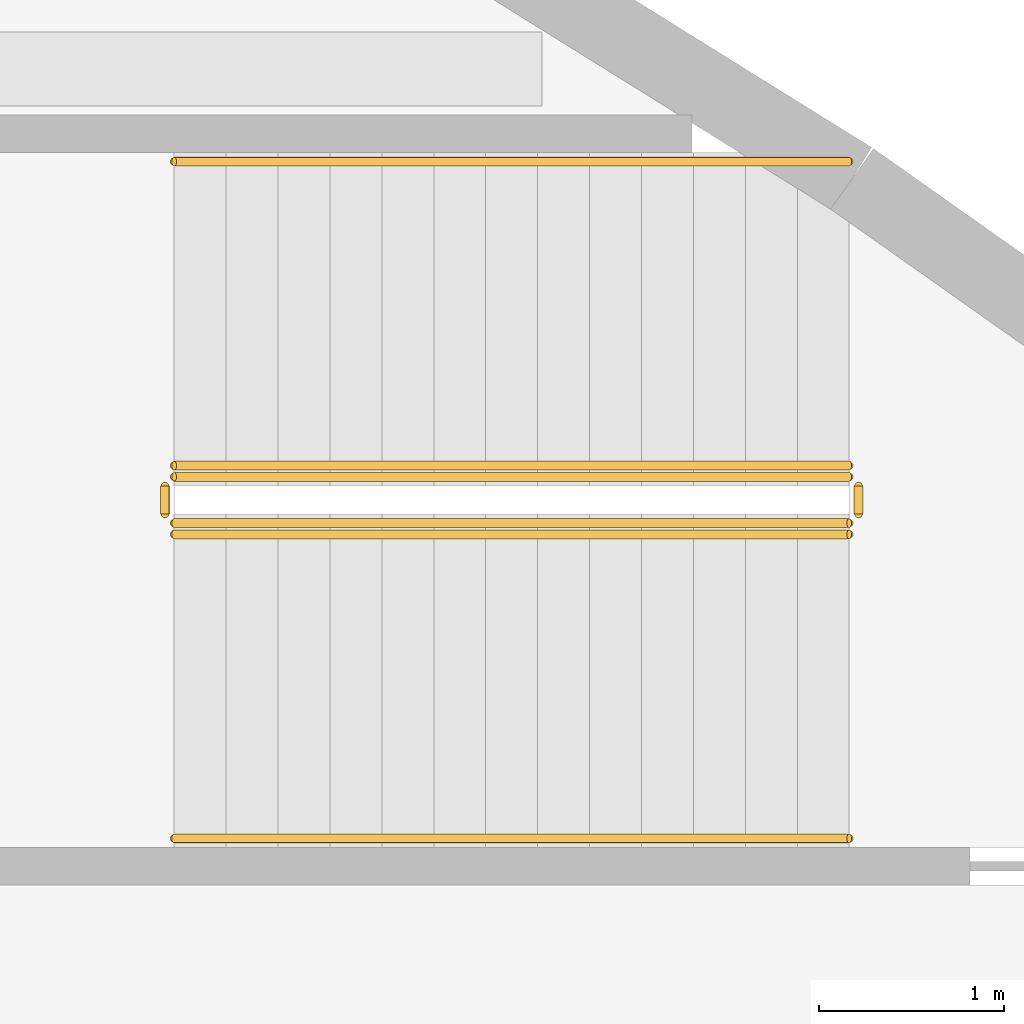
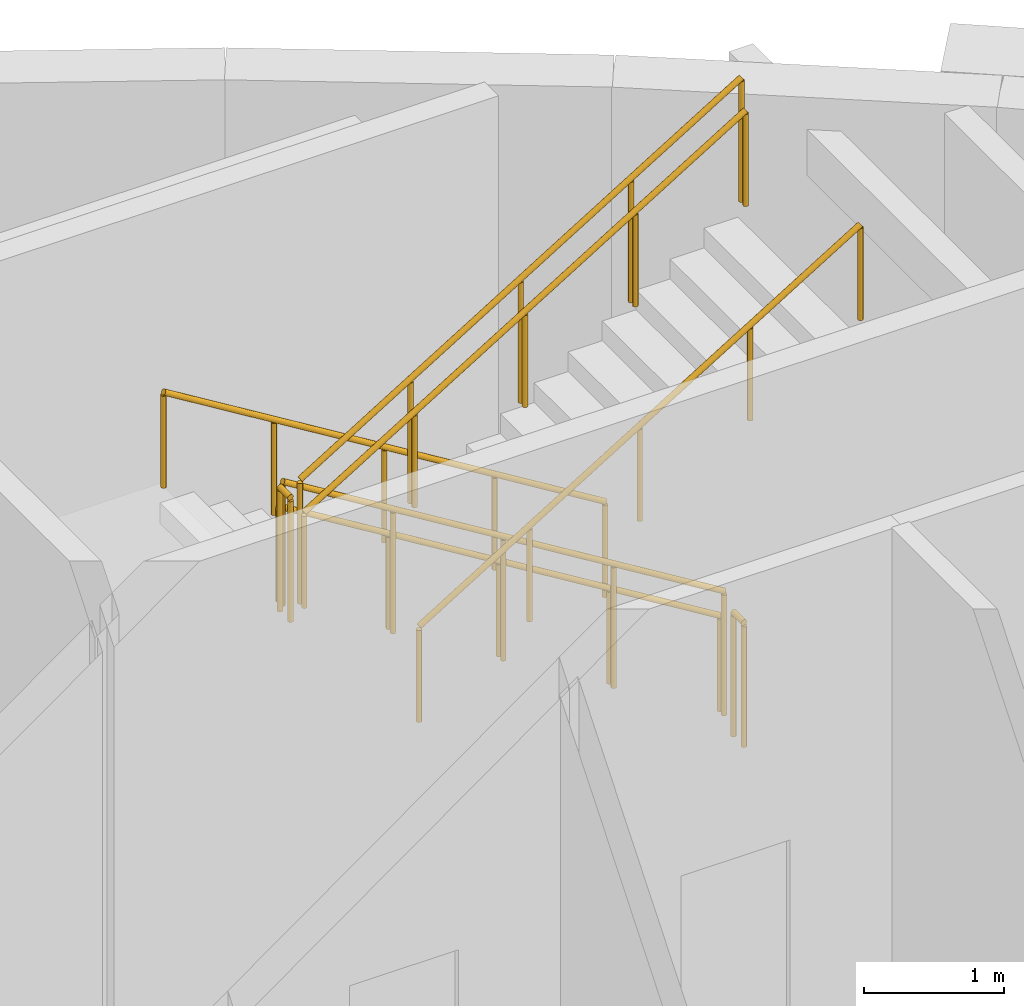
# One storey, part 93 of 93: 8 railings.
"""IFC4 building model written with IfcOpenShell, lengths in metres."""

from ifc_helpers import new_model, si_unit, direction, frame, origin, origin_2d, place, context, subcontext, project, spatial, circle, extrude, material, type_object, element, save


model = new_model("IFC4")

# Units and contexts
model_context = context("Model", 3, precision=1e-05, world=origin(), true_north=direction((0.0, 1.0)))
body_context = subcontext(model_context, "Body", "Model", "MODEL_VIEW")
ifc_project = project(units=[si_unit("LENGTHUNIT", "METRE"), si_unit("AREAUNIT", "SQUARE_METRE"), si_unit("VOLUMEUNIT", "CUBIC_METRE"), si_unit("PLANEANGLEUNIT", "RADIAN"), si_unit("MASSUNIT", "GRAM", prefix="KILO")], contexts=[model_context])

# Site, building, storey
site_placement = place(None, origin())
site = spatial("IfcSite", under=ifc_project, at=site_placement, CompositionType="ELEMENT")
building_placement = place(site_placement, origin())
building = spatial("IfcBuilding", under=site, at=building_placement, Name="Tide Square Theatres", CompositionType="ELEMENT")
storey_placement = place(building_placement, frame((0.0, 0.0, 5.39990234375)))
storey = spatial("IfcBuildingStorey", under=building, at=storey_placement, Name="L01", CompositionType="ELEMENT", Elevation=5.39990234375)

# Railings
ifc_material_1 = material(Name="Painted steel", Category="steel")
railing_type_1 = type_object("IfcRailingType", Name="Steel guard 1100", PredefinedType="GUARDRAIL", material=ifc_material_1)
railing_1_placement = place(storey_placement, frame((156.39990234375, 100.800048828125, 0.171630859375)))
element("IfcRailing", 1, at=railing_1_placement, inside=storey, type_object=railing_type_1, Name="L01 RST-2 stair guard 1", PredefinedType="GUARDRAIL", context=body_context, shape_type="SweptSolid", body=[
    extrude(circle(Radius=0.02392578125, at=origin_2d()), frame((0.0, 0.0, 1.076171875), z_axis=(-0.852850264322, 0.0, 0.5221555579), x_axis=(0.0, -1.0, 0.0)), (0.0, 0.0, 1.0), 4.267822265625),
    extrude(circle(Radius=0.02099609375, at=origin_2d()), origin(), (0.0, 0.0, 1.0), 1.052001953125),
    extrude(circle(Radius=0.02099609375, at=origin_2d()), frame((-0.909912109375, 0.0, 0.55712890625)), (0.0, 0.0, 1.0), 1.052001953125),
    extrude(circle(Radius=0.02099609375, at=origin_2d()), frame((-1.81982421875, 0.0, 1.1142578125)), (0.0, 0.0, 1.0), 1.052001953125),
    extrude(circle(Radius=0.02099609375, at=origin_2d()), frame((-2.72998046875, 0.0, 1.67138671875)), (0.0, 0.0, 1.0), 1.052001953125),
    extrude(circle(Radius=0.02099609375, at=origin_2d()), frame((-3.639892578125, 0.0, 2.228515625)), (0.0, 0.0, 1.0), 1.052001953125),
])
railing_2_placement = place(storey_placement, frame((152.7099609375, 100.75, 2.400146484375)))
element("IfcRailing", 2, at=railing_2_placement, inside=storey, type_object=railing_type_1, Name="L01 RST-2 stair guard 2", PredefinedType="GUARDRAIL", context=body_context, shape_type="SweptSolid", body=[
    extrude(circle(Radius=0.02392578125, at=origin_2d()), frame((0.0, 0.0, 1.076171875), z_axis=(0.0, -1.0, 0.0), x_axis=(1.0, 0.0, 0.0)), (0.0, 0.0, 1.0), 0.14990234375),
    extrude(circle(Radius=0.02099609375, at=origin_2d()), origin(), (0.0, 0.0, 1.0), 1.052001953125),
    extrude(circle(Radius=0.02099609375, at=origin_2d()), frame((0.0, -0.14990234375, 0.0)), (0.0, 0.0, 1.0), 1.052001953125),
])
railing_3_placement = place(storey_placement, frame((152.760009765625, 100.550048828125, 2.571533203125)))
element("IfcRailing", 3, at=railing_3_placement, inside=storey, type_object=railing_type_1, Name="L01 RST-2 stair guard 3", PredefinedType="GUARDRAIL", context=body_context, shape_type="SweptSolid", body=[
    extrude(circle(Radius=0.02392578125, at=origin_2d()), frame((0.0, 0.0, 1.076171875), z_axis=(0.852850264322, 0.0, 0.5221555579), x_axis=(0.0, 1.0, 0.0)), (0.0, 0.0, 1.0), 4.267822265625),
    extrude(circle(Radius=0.02099609375, at=origin_2d()), origin(), (0.0, 0.0, 1.0), 1.052001953125),
    extrude(circle(Radius=0.02099609375, at=origin_2d()), frame((0.909912109375, 0.0, 0.55712890625)), (0.0, 0.0, 1.0), 1.052001953125),
    extrude(circle(Radius=0.02099609375, at=origin_2d()), frame((1.81982421875, 0.0, 1.1142578125)), (0.0, 0.0, 1.0), 1.052001953125),
    extrude(circle(Radius=0.02099609375, at=origin_2d()), frame((2.72998046875, 0.0, 1.67138671875)), (0.0, 0.0, 1.0), 1.052001953125),
    extrude(circle(Radius=0.02099609375, at=origin_2d()), frame((3.639892578125, 0.0, 2.228515625)), (0.0, 0.0, 1.0), 1.052001953125),
])
railing_4_placement = place(storey_placement, frame((156.449951171875, 100.75, 0.0)))
element("IfcRailing", 4, at=railing_4_placement, inside=storey, type_object=railing_type_1, Name="L01 RST-2 stair guard 4", PredefinedType="GUARDRAIL", context=body_context, shape_type="SweptSolid", body=[
    extrude(circle(Radius=0.02392578125, at=origin_2d()), frame((0.0, 0.0, 1.076171875), z_axis=(0.0, -1.0, 0.0), x_axis=(1.0, 0.0, 0.0)), (0.0, 0.0, 1.0), 0.14990234375),
    extrude(circle(Radius=0.02099609375, at=origin_2d()), origin(), (0.0, 0.0, 1.0), 1.052001953125),
    extrude(circle(Radius=0.02099609375, at=origin_2d()), frame((0.0, -0.14990234375, 0.0)), (0.0, 0.0, 1.0), 1.052001953125),
])
ifc_material_2 = material(Name="Painted steel", Category="steel")
railing_type_2 = type_object("IfcRailingType", Name="Steel handrail 850", PredefinedType="HANDRAIL", material=ifc_material_2)
for number, where, name in (
    (5, (156.39990234375, 102.5, 0.171630859375), "L01 RST-2 stair handrail 1"),
    (6, (156.39990234375, 100.860107421875, 0.171630859375), "L01 RST-2 stair handrail 2"),
):
    element("IfcRailing", number, at=place(storey_placement, frame(where)), inside=storey, type_object=railing_type_2, Name=name, PredefinedType="HANDRAIL", context=body_context, shape_type="SweptSolid", body=[
        extrude(circle(Radius=0.02392578125, at=origin_2d()), frame((0.0, 0.0, 0.826171875), z_axis=(-0.852850264322, 0.0, 0.5221555579), x_axis=(0.0, -1.0, 0.0)), (0.0, 0.0, 1.0), 4.267822265625),
        extrude(circle(Radius=0.02099609375, at=origin_2d()), origin(), (0.0, 0.0, 1.0), 0.802001953125),
        extrude(circle(Radius=0.02099609375, at=origin_2d()), frame((-0.909912109375, 0.0, 0.55712890625)), (0.0, 0.0, 1.0), 0.802001953125),
        extrude(circle(Radius=0.02099609375, at=origin_2d()), frame((-1.81982421875, 0.0, 1.1142578125)), (0.0, 0.0, 1.0), 0.802001953125),
        extrude(circle(Radius=0.02099609375, at=origin_2d()), frame((-2.72998046875, 0.0, 1.67138671875)), (0.0, 0.0, 1.0), 0.802001953125),
        extrude(circle(Radius=0.02099609375, at=origin_2d()), frame((-3.639892578125, 0.0, 2.228515625)), (0.0, 0.0, 1.0), 0.802001953125),
    ])
for number, where, name in (
    (7, (152.760009765625, 98.85009765625, 2.571533203125), "L01 RST-2 stair handrail 3"),
    (8, (152.760009765625, 100.489990234375, 2.571533203125), "L01 RST-2 stair handrail 4"),
):
    element("IfcRailing", number, at=place(storey_placement, frame(where)), inside=storey, type_object=railing_type_2, Name=name, PredefinedType="HANDRAIL", context=body_context, shape_type="SweptSolid", body=[
        extrude(circle(Radius=0.02392578125, at=origin_2d()), frame((0.0, 0.0, 0.826171875), z_axis=(0.852850264322, 0.0, 0.5221555579), x_axis=(0.0, 1.0, 0.0)), (0.0, 0.0, 1.0), 4.267822265625),
        extrude(circle(Radius=0.02099609375, at=origin_2d()), origin(), (0.0, 0.0, 1.0), 0.802001953125),
        extrude(circle(Radius=0.02099609375, at=origin_2d()), frame((0.909912109375, 0.0, 0.55712890625)), (0.0, 0.0, 1.0), 0.802001953125),
        extrude(circle(Radius=0.02099609375, at=origin_2d()), frame((1.81982421875, 0.0, 1.1142578125)), (0.0, 0.0, 1.0), 0.802001953125),
        extrude(circle(Radius=0.02099609375, at=origin_2d()), frame((2.72998046875, 0.0, 1.67138671875)), (0.0, 0.0, 1.0), 0.802001953125),
        extrude(circle(Radius=0.02099609375, at=origin_2d()), frame((3.639892578125, 0.0, 2.228515625)), (0.0, 0.0, 1.0), 0.802001953125),
    ])

save(model, "model.ifc")
